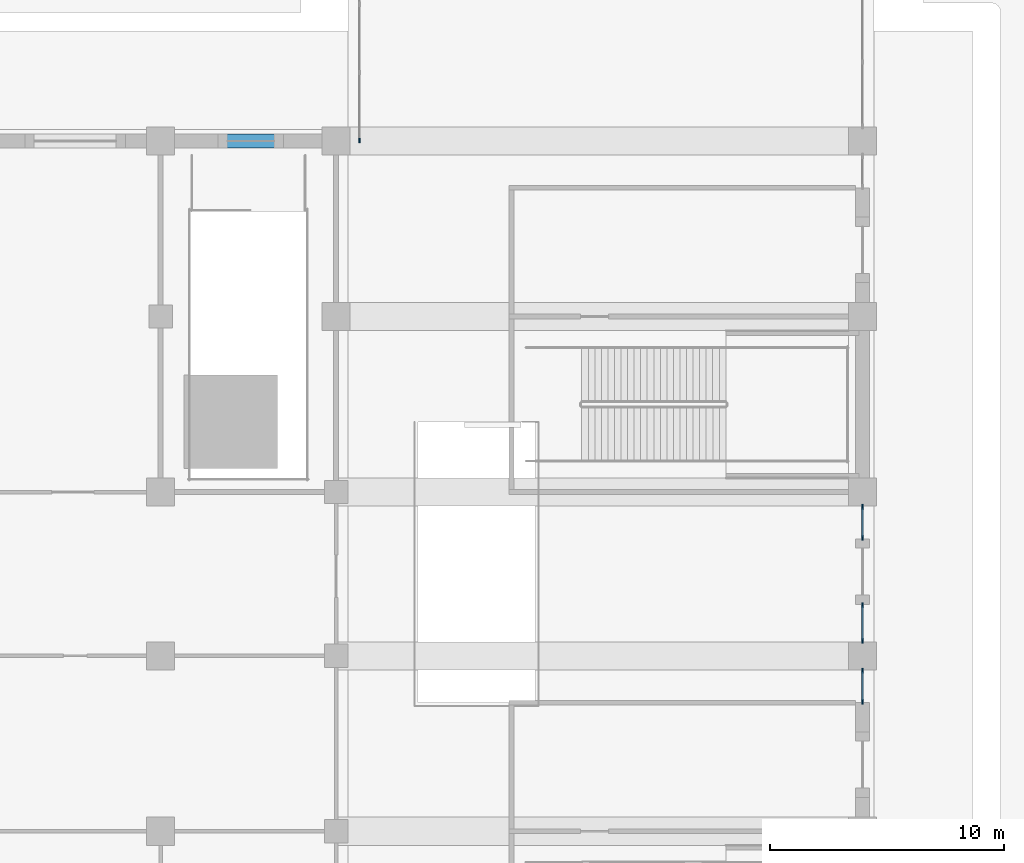
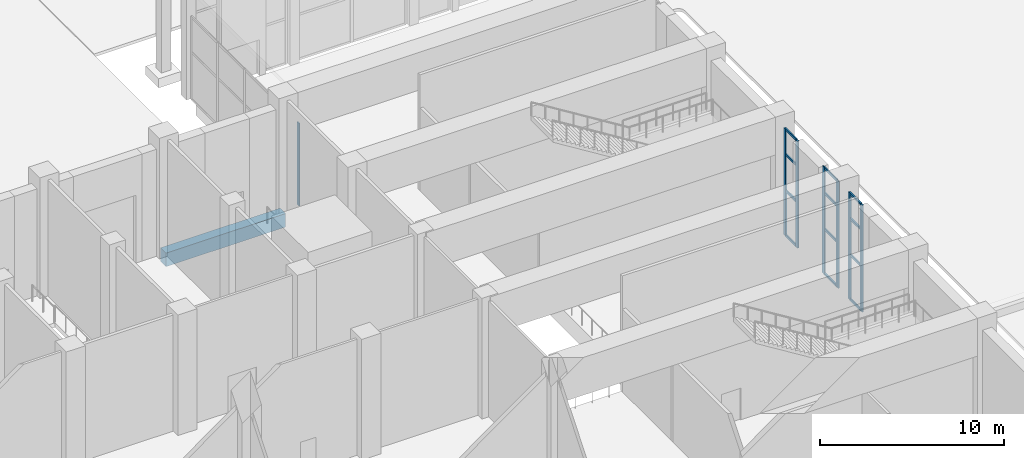
# One storey, part 13 of 57: 19 members, 1 beam, 4 elements without a shape of their own.
"""IFC4 building model written with IfcOpenShell, lengths in metres."""

import ifcopenshell
import ifcopenshell.guid

model = None  # the IFC model being written
_history = None  # IfcOwnerHistory: only IFC2X3 demands one
_inside = {}  # id of a spatial element -> (the spatial element, [elements in it])
_under = {}  # id of a project, library or spatial element -> (it, [spatial elements below it])
_declared = {}  # id of a project -> (the project, [libraries it declares])
_typed = {}  # id of a type object -> (the type object, [elements of that type])
_made_of = {}  # id of a material, layer set ... -> (it, [elements and type objects made of it])


def new_model(schema):
    """Start an empty IFC model of exactly this schema.

    Asked for "IFC4X3", IfcOpenShell would pick the latest addendum, in which some entities
    have other attributes; the version numbers below select the first issue.
    IFC2X3 requires an IfcOwnerHistory on every rooted entity: one is made here for all.
    """
    global model, _history
    if schema == "IFC4X3":
        model = ifcopenshell.file(schema_version=(4, 3, 0, 0))
    else:
        model = ifcopenshell.file(schema=schema)
    _inside.clear()
    _under.clear()
    _declared.clear()
    _typed.clear()
    _made_of.clear()
    _history = None
    if model.schema == "IFC2X3":
        org = make("IfcOrganization", Name="unknown")
        user = make(
            "IfcPersonAndOrganization",
            ThePerson=make("IfcPerson", FamilyName="unknown"),
            TheOrganization=org,
        )
        app = make(
            "IfcApplication",
            ApplicationDeveloper=org,
            Version="unknown",
            ApplicationFullName="unknown",
            ApplicationIdentifier="unknown",
        )
        _history = make(
            "IfcOwnerHistory",
            OwningUser=user,
            OwningApplication=app,
            ChangeAction="ADDED",
            CreationDate=0,
        )
    return model


def make(cls, **values):
    """One entity of the class cls with the attributes given. An attribute that is None is left unset."""
    return model.create_entity(
        cls, **{name: value for name, value in values.items() if value is not None}
    )


def rooted(cls, **values):
    """An entity with a GlobalId (a new one), such as an element, a storey or a relation."""
    return make(cls, GlobalId=ifcopenshell.guid.new(), OwnerHistory=_history, **values)


def si_unit(unit_type, name, prefix=None):
    """IfcSIUnit, for example si_unit("LENGTHUNIT", "METRE", prefix="MILLI")."""
    return make("IfcSIUnit", UnitType=unit_type, Prefix=prefix, Name=name)


def assignment(units):
    """IfcUnitAssignment: the units of a project."""
    return None if units is None else make("IfcUnitAssignment", Units=units)


def point(xyz):
    """IfcCartesianPoint."""
    return None if xyz is None else make("IfcCartesianPoint", Coordinates=xyz)


def direction(xyz):
    """IfcDirection."""
    return None if xyz is None else make("IfcDirection", DirectionRatios=xyz)


def frame(location, z_axis=None, x_axis=None):
    """IfcAxis2Placement3D, a coordinate frame: its origin and axes. An axis left out is left unset."""
    return make(
        "IfcAxis2Placement3D",
        Location=point(location),
        Axis=direction(z_axis),
        RefDirection=direction(x_axis),
    )


def frame_2d(location, x_axis=None):
    """IfcAxis2Placement2D, a coordinate frame in the plane: its origin and x axis."""
    return make(
        "IfcAxis2Placement2D", Location=point(location), RefDirection=direction(x_axis)
    )


def origin():
    """The frame at (0, 0, 0) with its axes left unset."""
    return frame((0.0, 0.0, 0.0))


def origin_2d():
    """The frame at (0, 0) in the plane with its x axis left unset."""
    return frame_2d((0.0, 0.0))


def place(relative_to, where):
    """IfcLocalPlacement: puts the frame where relative to a parent placement (None: the world)."""
    return make(
        "IfcLocalPlacement", PlacementRelTo=relative_to, RelativePlacement=where
    )


def context(
    kind, dimensions, precision=None, world=None, true_north=None, identifier=None
):
    """IfcGeometricRepresentationContext, for example the 3D "Model" context."""
    return make(
        "IfcGeometricRepresentationContext",
        ContextIdentifier=identifier,
        ContextType=kind,
        CoordinateSpaceDimension=dimensions,
        Precision=precision,
        WorldCoordinateSystem=world,
        TrueNorth=true_north,
    )


def subcontext(parent, identifier, kind, view, scale=None):
    """IfcGeometricRepresentationSubContext, for example "Body" below "Model"."""
    return make(
        "IfcGeometricRepresentationSubContext",
        ContextIdentifier=identifier,
        ContextType=kind,
        ParentContext=parent,
        TargetScale=scale,
        TargetView=view,
    )


def project(units=None, contexts=None):
    """IfcProject with its units and contexts."""
    return rooted(
        "IfcProject",
        Name="project",
        RepresentationContexts=contexts,
        UnitsInContext=assignment(units),
    )


def spatial(cls, under=None, at=None, **own):
    """A site, building, storey or space (cls), placed at a placement, below another one or the project."""
    s = rooted(cls, ObjectPlacement=at, **own)
    if under is not None:
        _under.setdefault(under.id(), (under, []))[1].append(s)
    return s


def profile(cls, at=None, kind="AREA", **sizes):
    """A parametric profile (cls). Its sizes go by their IFC names, for example OverallWidth=200.0."""
    return make(cls, ProfileType=kind, Position=at, **sizes)


def rectangle(**sizes):
    """IfcRectangleProfileDef."""
    return profile("IfcRectangleProfileDef", **sizes)


def extrude(swept, where, along, depth):
    """IfcExtrudedAreaSolid: the profile swept, set in the frame where, extruded along a direction by depth."""
    return make(
        "IfcExtrudedAreaSolid",
        SweptArea=swept,
        Position=where,
        ExtrudedDirection=direction(along),
        Depth=depth,
    )


def shape(context_of_items, identifier, shape_type, items):
    """IfcShapeRepresentation: the items that make up one representation, for example the "Body"."""
    return make(
        "IfcShapeRepresentation",
        ContextOfItems=context_of_items,
        RepresentationIdentifier=identifier,
        RepresentationType=shape_type,
        Items=items,
    )


def material(Name=None, Category=None):
    """IfcMaterial."""
    return make("IfcMaterial", Name=Name, Category=Category)


def layer(
    of_material, thickness, ventilated=None, Name=None, Category=None, Priority=None
):
    """IfcMaterialLayer: one layer of a wall or slab, of a material (None: an air gap)."""
    return make(
        "IfcMaterialLayer",
        Material=of_material,
        LayerThickness=thickness,
        IsVentilated=ventilated,
        Name=Name,
        Category=Category,
        Priority=Priority,
    )


def layer_set(layers, Name=None):
    """IfcMaterialLayerSet."""
    return make("IfcMaterialLayerSet", MaterialLayers=layers, LayerSetName=Name)


def material_profile(
    of_material, cross_section, Name=None, Category=None, Priority=None
):
    """IfcMaterialProfile: a cross section and its material."""
    return make(
        "IfcMaterialProfile",
        Name=Name,
        Material=of_material,
        Profile=cross_section,
        Priority=Priority,
        Category=Category,
    )


def profile_set(profiles, Name=None, composite=None):
    """IfcMaterialProfileSet."""
    return make(
        "IfcMaterialProfileSet",
        Name=Name,
        MaterialProfiles=profiles,
        CompositeProfile=composite,
    )


def made_of(thing, what):
    """Note that an element or type object is made of a material, layer set ...; save() writes the relation."""
    if what is not None:
        _made_of.setdefault(what.id(), (what, []))[1].append(thing)
    return thing


def type_object(cls, material=None, **own):
    """A type object (cls), such as IfcWallType, which elements share."""
    return made_of(rooted(cls, **own), material)


def element(
    cls,
    number,
    at=None,
    inside=None,
    cuts=None,
    type_object=None,
    material=None,
    context=None,
    identifier="Body",
    shape_type=None,
    held_by="IfcProductDefinitionShape",
    body=None,
    shapes=None,
    **own,
):
    """One element of the class cls, such as IfcWall. Its Tag is "e" and its number.

    at: its placement. inside: the storey or other place that contains it. cuts: it is an
    opening in that element (IfcRelVoidsElement). A single representation is given by context,
    identifier, shape_type and body (its items); several are given by shapes. held_by: the class
    of the entity that holds the representations. save() writes the other relations.
    """
    e = rooted(cls, Tag="e%d" % number, ObjectPlacement=at, **own)
    if body is not None:
        shapes = [shape(context, identifier, shape_type, body)]
    if shapes is not None:
        e.Representation = make(held_by, Representations=shapes)
    if inside is not None:
        _inside.setdefault(inside.id(), (inside, []))[1].append(e)
    if cuts is not None:
        rooted(
            "IfcRelVoidsElement", RelatingBuildingElement=cuts, RelatedOpeningElement=e
        )
    if type_object is not None:
        _typed.setdefault(type_object.id(), (type_object, []))[1].append(e)
    return made_of(e, material)


def aggregate(whole, parts):
    """IfcRelAggregates: a whole, such as a stair, and the parts it consists of."""
    return rooted("IfcRelAggregates", RelatingObject=whole, RelatedObjects=parts)


def save(model, path):
    """Write the relations noted so far, then the file.

    IfcRelAggregates (storeys below a building ...), IfcRelContainedInSpatialStructure (elements
    in a storey), IfcRelDefinesByType, IfcRelAssociatesMaterial and IfcRelDeclares: one each for
    every whole, place, type object, material and project.
    """
    for whole, parts in _under.values():
        aggregate(whole, parts)
    for where, things in _inside.values():
        rooted(
            "IfcRelContainedInSpatialStructure",
            RelatedElements=things,
            RelatingStructure=where,
        )
    for kind, things in _typed.values():
        rooted("IfcRelDefinesByType", RelatedObjects=things, RelatingType=kind)
    for what, things in _made_of.values():
        rooted("IfcRelAssociatesMaterial", RelatedObjects=things, RelatingMaterial=what)
    for by, libraries in _declared.values():
        rooted("IfcRelDeclares", RelatingContext=by, RelatedDefinitions=libraries)
    model.write(path)


model = new_model("IFC4")

# Units and contexts
model_context = context("Model", 3, precision=1e-05, world=origin(), true_north=direction((0.0, 1.0)))
body_context = subcontext(model_context, "Body", "Model", "MODEL_VIEW")
ifc_project = project(units=[si_unit("LENGTHUNIT", "METRE"), si_unit("AREAUNIT", "SQUARE_METRE"), si_unit("VOLUMEUNIT", "CUBIC_METRE"), si_unit("PLANEANGLEUNIT", "RADIAN"), si_unit("MASSUNIT", "GRAM", prefix="KILO")], contexts=[model_context])

# Site, building, storey
site_placement = place(None, origin())
site = spatial("IfcSite", under=ifc_project, at=site_placement, CompositionType="ELEMENT")
building_placement = place(site_placement, origin())
building = spatial("IfcBuilding", under=site, at=building_placement, Name="Tamorin Gate", CompositionType="ELEMENT")
storey_placement = place(building_placement, origin())
storey = spatial("IfcBuildingStorey", under=building, at=storey_placement, Name="L00", CompositionType="ELEMENT", Elevation=0.0)

# Curtain wall, members
ifc_material_1 = material(Name="Aluminium and glass", Category="aluminium")
ifc_layer_1 = layer(ifc_material_1, 0.199951171875)
ifc_layer_set_1 = layer_set([ifc_layer_1], Name="Station concourse glazing system")
curtain_wall_type_1 = type_object("IfcCurtainWallType", Name="Station concourse glazing system", PredefinedType="NOTDEFINED", material=ifc_layer_set_1)
curtain_wall_1_placement = place(storey_placement, origin())
curtain_wall_1 = element("IfcCurtainWall", 1, at=curtain_wall_1_placement, inside=storey, type_object=curtain_wall_type_1, Name="Station concourse glazing system L00", PredefinedType="NOTDEFINED")
ifc_material_2 = material(Name="Aluminium", Category="aluminium")
ifc_material_profile_1 = material_profile(ifc_material_2, rectangle(XDim=0.080078125, YDim=0.219970703125, at=origin_2d()), Name="RECT 80x220")
ifc_profile_set_1 = profile_set([ifc_material_profile_1], Name="Aluminium")
member_type_1 = type_object("IfcMemberType", Name="Concourse mullion 80x220", PredefinedType="MULLION", material=ifc_profile_set_1)
member_1_placement = place(storey_placement, frame((112.0, 88.0400390625, 0.0), z_axis=(0.0, 0.0, 1.0), x_axis=(-1.0, 0.0, 0.0)))
member_1 = element("IfcMember", 2, at=member_1_placement, type_object=member_type_1, Name="CWP11 mullion 1", PredefinedType="MULLION", context=body_context, shape_type="SweptSolid", body=[
    extrude(rectangle(XDim=0.080078125, YDim=0.219970703125, at=origin_2d()), origin(), (0.0, 0.0, 1.0), 7.10009765625),
])
member_2_placement = place(storey_placement, frame((112.0, 89.360107421875, 0.0), z_axis=(0.0, 0.0, 1.0), x_axis=(-1.0, 0.0, 0.0)))
member_2 = element("IfcMember", 3, at=member_2_placement, type_object=member_type_1, Name="CWP11 mullion 2", PredefinedType="MULLION", context=body_context, shape_type="SweptSolid", body=[
    extrude(rectangle(XDim=0.080078125, YDim=0.219970703125, at=origin_2d()), origin(), (0.0, 0.0, 1.0), 7.10009765625),
])

curtain_wall_2_placement = place(storey_placement, origin())
curtain_wall_2 = element("IfcCurtainWall", 4, at=curtain_wall_2_placement, inside=storey, type_object=curtain_wall_type_1, Name="Station concourse glazing system L00", PredefinedType="NOTDEFINED")
member_3_placement = place(storey_placement, frame((112.0, 90.639892578125, 0.0), z_axis=(0.0, 0.0, 1.0), x_axis=(-1.0, 0.0, 0.0)))
member_3 = element("IfcMember", 5, at=member_3_placement, type_object=member_type_1, Name="CWP11 mullion 1", PredefinedType="MULLION", context=body_context, shape_type="SweptSolid", body=[
    extrude(rectangle(XDim=0.080078125, YDim=0.219970703125, at=origin_2d()), origin(), (0.0, 0.0, 1.0), 7.10009765625),
])
member_4_placement = place(storey_placement, frame((112.0, 92.159912109375, 0.0), z_axis=(0.0, 0.0, 1.0), x_axis=(-1.0, 0.0, 0.0)))
member_4 = element("IfcMember", 6, at=member_4_placement, type_object=member_type_1, Name="CWP11 mullion 2", PredefinedType="MULLION", context=body_context, shape_type="SweptSolid", body=[
    extrude(rectangle(XDim=0.080078125, YDim=0.219970703125, at=origin_2d()), origin(), (0.0, 0.0, 1.0), 7.10009765625),
])

curtain_wall_3_placement = place(storey_placement, origin())
curtain_wall_3 = element("IfcCurtainWall", 7, at=curtain_wall_3_placement, inside=storey, type_object=curtain_wall_type_1, Name="Station concourse glazing system L00", PredefinedType="NOTDEFINED")
member_5_placement = place(storey_placement, frame((112.0, 95.0400390625, 0.0), z_axis=(0.0, 0.0, 1.0), x_axis=(-1.0, 0.0, 0.0)))
member_5 = element("IfcMember", 8, at=member_5_placement, type_object=member_type_1, Name="CWP11 mullion 1", PredefinedType="MULLION", context=body_context, shape_type="SweptSolid", body=[
    extrude(rectangle(XDim=0.080078125, YDim=0.219970703125, at=origin_2d()), origin(), (0.0, 0.0, 1.0), 7.10009765625),
])
member_6_placement = place(storey_placement, frame((112.0, 96.360107421875, 0.0), z_axis=(0.0, 0.0, 1.0), x_axis=(-1.0, 0.0, 0.0)))
member_6 = element("IfcMember", 9, at=member_6_placement, type_object=member_type_1, Name="CWP11 mullion 2", PredefinedType="MULLION", context=body_context, shape_type="SweptSolid", body=[
    extrude(rectangle(XDim=0.080078125, YDim=0.219970703125, at=origin_2d()), origin(), (0.0, 0.0, 1.0), 7.10009765625),
])

# Member
ifc_material_profile_2 = material_profile(ifc_material_2, rectangle(XDim=0.080078125, YDim=0.159912109375, at=origin_2d()), Name="RECT 80x160")
ifc_profile_set_2 = profile_set([ifc_material_profile_2], Name="Aluminium")
member_type_2 = type_object("IfcMemberType", Name="Concourse transom 80x160", PredefinedType="USERDEFINED", material=ifc_profile_set_2)
member_7_placement = place(storey_placement, frame((112.0, 88.080078125, 0.0400390625), z_axis=(0.0, 1.0, 0.0), x_axis=(-1.0, 0.0, 0.0)))
member_7 = element("IfcMember", 10, at=member_7_placement, type_object=member_type_2, Name="CWP11 transom 1.1", ObjectType="TRANSOM", PredefinedType="USERDEFINED", context=body_context, shape_type="SweptSolid", body=[
    extrude(rectangle(XDim=0.080078125, YDim=0.159912109375, at=origin_2d()), origin(), (0.0, 0.0, 1.0), 1.239990234375),
])

member_8_placement = place(storey_placement, frame((112.0, 88.080078125, 3.0), z_axis=(0.0, 1.0, 0.0), x_axis=(-1.0, 0.0, 0.0)))
member_8 = element("IfcMember", 11, at=member_8_placement, type_object=member_type_2, Name="CWP11 transom 1.2", ObjectType="TRANSOM", PredefinedType="USERDEFINED", context=body_context, shape_type="SweptSolid", body=[
    extrude(rectangle(XDim=0.080078125, YDim=0.159912109375, at=origin_2d()), origin(), (0.0, 0.0, 1.0), 1.239990234375),
])

member_9_placement = place(storey_placement, frame((112.0, 88.080078125, 5.39990234375), z_axis=(0.0, 1.0, 0.0), x_axis=(-1.0, 0.0, 0.0)))
member_9 = element("IfcMember", 12, at=member_9_placement, type_object=member_type_2, Name="CWP11 transom 1.3", ObjectType="TRANSOM", PredefinedType="USERDEFINED", context=body_context, shape_type="SweptSolid", body=[
    extrude(rectangle(XDim=0.080078125, YDim=0.159912109375, at=origin_2d()), origin(), (0.0, 0.0, 1.0), 1.239990234375),
])

member_10_placement = place(storey_placement, frame((112.0, 88.080078125, 7.06005859375), z_axis=(0.0, 1.0, 0.0), x_axis=(-1.0, 0.0, 0.0)))
member_10 = element("IfcMember", 13, at=member_10_placement, type_object=member_type_2, Name="CWP11 transom 1.4", ObjectType="TRANSOM", PredefinedType="USERDEFINED", context=body_context, shape_type="SweptSolid", body=[
    extrude(rectangle(XDim=0.080078125, YDim=0.159912109375, at=origin_2d()), origin(), (0.0, 0.0, 1.0), 1.239990234375),
])

aggregate(curtain_wall_1, [member_1, member_2, member_7, member_8, member_9, member_10])

member_11_placement = place(storey_placement, frame((112.0, 90.679931640625, 0.0400390625), z_axis=(0.0, 1.0, 0.0), x_axis=(-1.0, 0.0, 0.0)))
member_11 = element("IfcMember", 14, at=member_11_placement, type_object=member_type_2, Name="CWP11 transom 1.1", ObjectType="TRANSOM", PredefinedType="USERDEFINED", context=body_context, shape_type="SweptSolid", body=[
    extrude(rectangle(XDim=0.080078125, YDim=0.159912109375, at=origin_2d()), origin(), (0.0, 0.0, 1.0), 1.440185546875),
])

member_12_placement = place(storey_placement, frame((112.0, 90.679931640625, 3.0), z_axis=(0.0, 1.0, 0.0), x_axis=(-1.0, 0.0, 0.0)))
member_12 = element("IfcMember", 15, at=member_12_placement, type_object=member_type_2, Name="CWP11 transom 1.2", ObjectType="TRANSOM", PredefinedType="USERDEFINED", context=body_context, shape_type="SweptSolid", body=[
    extrude(rectangle(XDim=0.080078125, YDim=0.159912109375, at=origin_2d()), origin(), (0.0, 0.0, 1.0), 1.440185546875),
])

member_13_placement = place(storey_placement, frame((112.0, 90.679931640625, 5.39990234375), z_axis=(0.0, 1.0, 0.0), x_axis=(-1.0, 0.0, 0.0)))
member_13 = element("IfcMember", 16, at=member_13_placement, type_object=member_type_2, Name="CWP11 transom 1.3", ObjectType="TRANSOM", PredefinedType="USERDEFINED", context=body_context, shape_type="SweptSolid", body=[
    extrude(rectangle(XDim=0.080078125, YDim=0.159912109375, at=origin_2d()), origin(), (0.0, 0.0, 1.0), 1.440185546875),
])

member_14_placement = place(storey_placement, frame((112.0, 90.679931640625, 7.06005859375), z_axis=(0.0, 1.0, 0.0), x_axis=(-1.0, 0.0, 0.0)))
member_14 = element("IfcMember", 17, at=member_14_placement, type_object=member_type_2, Name="CWP11 transom 1.4", ObjectType="TRANSOM", PredefinedType="USERDEFINED", context=body_context, shape_type="SweptSolid", body=[
    extrude(rectangle(XDim=0.080078125, YDim=0.159912109375, at=origin_2d()), origin(), (0.0, 0.0, 1.0), 1.440185546875),
])

aggregate(curtain_wall_2, [member_3, member_4, member_11, member_12, member_13, member_14])

member_15_placement = place(storey_placement, frame((112.0, 95.080078125, 0.0400390625), z_axis=(0.0, 1.0, 0.0), x_axis=(-1.0, 0.0, 0.0)))
member_15 = element("IfcMember", 18, at=member_15_placement, type_object=member_type_2, Name="CWP11 transom 1.1", ObjectType="TRANSOM", PredefinedType="USERDEFINED", context=body_context, shape_type="SweptSolid", body=[
    extrude(rectangle(XDim=0.080078125, YDim=0.159912109375, at=origin_2d()), origin(), (0.0, 0.0, 1.0), 1.239990234375),
])

member_16_placement = place(storey_placement, frame((112.0, 95.080078125, 3.0), z_axis=(0.0, 1.0, 0.0), x_axis=(-1.0, 0.0, 0.0)))
member_16 = element("IfcMember", 19, at=member_16_placement, type_object=member_type_2, Name="CWP11 transom 1.2", ObjectType="TRANSOM", PredefinedType="USERDEFINED", context=body_context, shape_type="SweptSolid", body=[
    extrude(rectangle(XDim=0.080078125, YDim=0.159912109375, at=origin_2d()), origin(), (0.0, 0.0, 1.0), 1.239990234375),
])

member_17_placement = place(storey_placement, frame((112.0, 95.080078125, 5.39990234375), z_axis=(0.0, 1.0, 0.0), x_axis=(-1.0, 0.0, 0.0)))
member_17 = element("IfcMember", 20, at=member_17_placement, type_object=member_type_2, Name="CWP11 transom 1.3", ObjectType="TRANSOM", PredefinedType="USERDEFINED", context=body_context, shape_type="SweptSolid", body=[
    extrude(rectangle(XDim=0.080078125, YDim=0.159912109375, at=origin_2d()), origin(), (0.0, 0.0, 1.0), 1.239990234375),
])

member_18_placement = place(storey_placement, frame((112.0, 95.080078125, 7.06005859375), z_axis=(0.0, 1.0, 0.0), x_axis=(-1.0, 0.0, 0.0)))
member_18 = element("IfcMember", 21, at=member_18_placement, type_object=member_type_2, Name="CWP11 transom 1.4", ObjectType="TRANSOM", PredefinedType="USERDEFINED", context=body_context, shape_type="SweptSolid", body=[
    extrude(rectangle(XDim=0.080078125, YDim=0.159912109375, at=origin_2d()), origin(), (0.0, 0.0, 1.0), 1.239990234375),
])

aggregate(curtain_wall_3, [member_5, member_6, member_15, member_16, member_17, member_18])

# Curtain wall, member
ifc_layer_2 = layer(ifc_material_1, 0.199951171875)
ifc_layer_set_2 = layer_set([ifc_layer_2], Name="Station pavilion glazing system")
curtain_wall_type_2 = type_object("IfcCurtainWallType", Name="Station pavilion glazing system", PredefinedType="NOTDEFINED", material=ifc_layer_set_2)
curtain_wall_4_placement = place(storey_placement, origin())
curtain_wall_4 = element("IfcCurtainWall", 22, at=curtain_wall_4_placement, inside=storey, type_object=curtain_wall_type_2, Name="Station pavilion glazing system L00", PredefinedType="NOTDEFINED")
ifc_material_profile_3 = material_profile(ifc_material_2, rectangle(XDim=0.06005859375, YDim=0.199951171875, at=origin_2d()), Name="RECT 60x200")
ifc_profile_set_3 = profile_set([ifc_material_profile_3], Name="Aluminium")
member_type_3 = type_object("IfcMemberType", Name="Pavilion mullion 60x200", PredefinedType="MULLION", material=ifc_profile_set_3)
member_19_placement = place(storey_placement, frame((90.5, 112.030029296875, 0.0), z_axis=(0.0, 0.0, 1.0), x_axis=(-1.0, 0.0, 0.0)))
member_19 = element("IfcMember", 23, at=member_19_placement, type_object=member_type_3, Name="CWP12 mullion 1", PredefinedType="MULLION", context=body_context, shape_type="SweptSolid", body=[
    extrude(rectangle(XDim=0.06005859375, YDim=0.199951171875, at=origin_2d()), origin(), (0.0, 0.0, 1.0), 5.5),
])
aggregate(curtain_wall_4, [member_19])

# Beam
ifc_material_3 = material(Name="Concrete C50/60", Category="concrete")
ifc_material_profile_4 = material_profile(ifc_material_3, rectangle(XDim=0.60009765625, YDim=0.89990234375, at=origin_2d()), Name="RC 600x900")
ifc_profile_set_4 = profile_set([ifc_material_profile_4], Name="Concrete C50/60")
beam_type = type_object("IfcBeamType", Name="RC spandrel 600x900 C50/60", PredefinedType="BEAM", material=ifc_profile_set_4)
beam_placement = place(storey_placement, frame((89.5, 112.0, -0.449951171875), z_axis=(-1.0, 0.0, 0.0), x_axis=(0.0, -1.0, 0.0)))
element("IfcBeam", 24, at=beam_placement, inside=storey, type_object=beam_type, Name="Spandrel beam L00", PredefinedType="BEAM", context=body_context, shape_type="SweptSolid", body=[
    extrude(rectangle(XDim=0.60009765625, YDim=0.89990234375, at=origin_2d()), origin(), (0.0, 0.0, 1.0), 7.5),
])

save(model, "model.ifc")
